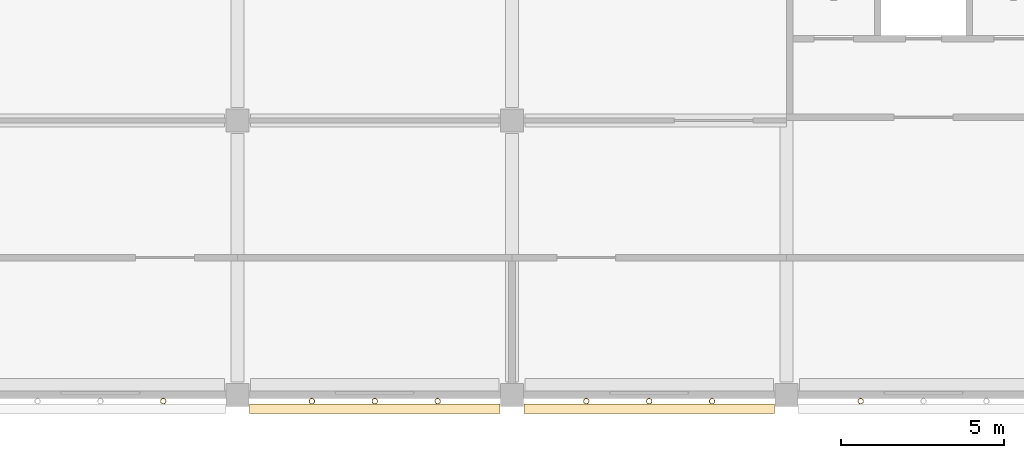
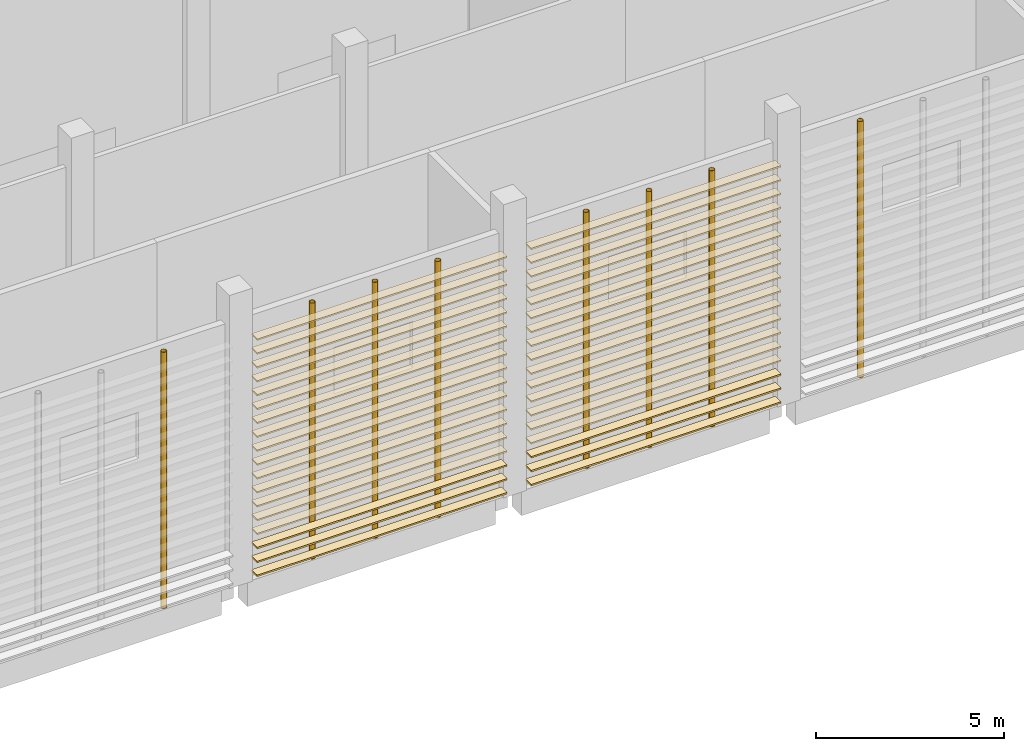
# One storey, part 77 of 114: 36 coverings, 8 shading devices.
"""IFC4 building model written with IfcOpenShell, lengths in metres."""

from ifc_helpers import new_model, si_unit, direction, frame, origin, origin_2d, place, context, subcontext, project, spatial, rectangle, hollow_circle, extrude, material, material_profile, profile_set, type_object, element, save


model = new_model("IFC4")

# Units and contexts
model_context = context("Model", 3, precision=1e-05, world=origin(), true_north=direction((0.0, 1.0)))
body_context = subcontext(model_context, "Body", "Model", "MODEL_VIEW")
ifc_project = project(units=[si_unit("LENGTHUNIT", "METRE"), si_unit("AREAUNIT", "SQUARE_METRE"), si_unit("VOLUMEUNIT", "CUBIC_METRE"), si_unit("PLANEANGLEUNIT", "RADIAN"), si_unit("MASSUNIT", "GRAM", prefix="KILO")], contexts=[model_context])

# Site, building, storey
site_placement = place(None, origin())
site = spatial("IfcSite", under=ifc_project, at=site_placement, CompositionType="ELEMENT")
building_placement = place(site_placement, origin())
building = spatial("IfcBuilding", under=site, at=building_placement, Name="Almond Square Museum", CompositionType="ELEMENT")
storey_placement = place(building_placement, frame((0.0, 0.0, 10.5)))
storey = spatial("IfcBuildingStorey", under=building, at=storey_placement, Name="L02", CompositionType="ELEMENT", Elevation=10.5)

# Shading devices
ifc_material_1 = material(Name="Structural steel S355", Category="steel")
ifc_material_profile_1 = material_profile(ifc_material_1, hollow_circle(Radius=0.084228515625, WallThickness=0.008056640625, at=origin_2d()))
ifc_profile_set_1 = profile_set([ifc_material_profile_1], Name="Structural steel S355")
shading_device_type = type_object("IfcShadingDeviceType", Name="Louvre post CHS 168.3 x 8", PredefinedType="USERDEFINED", material=ifc_profile_set_1)
for number, where, z_axis, x_axis, name in (
    (1, (37.324951171875, -0.194091796875, 0.0), (0.0, 0.0, 1.0), (1.0, 0.0, 0.0), "Louvre screen post"),
    (2, (41.875, -0.194091796875, 0.0), (0.0, 0.0, 1.0), (1.0, 0.0, 0.0), "Louvre screen post"),
    (3, (43.800048828125, -0.194091796875, 0.0), (0.0, 0.0, 1.0), (1.0, 0.0, 0.0), "Louvre screen post"),
    (4, (45.72509765625, -0.194091796875, 0.0), (0.0, 0.0, 1.0), (1.0, 0.0, 0.0), "Louvre screen post"),
    (5, (50.27490234375, -0.194091796875, 0.0), (0.0, 0.0, 1.0), (1.0, 0.0, 0.0), "Louvre screen post"),
    (6, (52.199951171875, -0.194091796875, 0.0), (0.0, 0.0, 1.0), (1.0, 0.0, 0.0), "Louvre screen post"),
    (7, (54.125, -0.194091796875, 0.0), (0.0, 0.0, 1.0), (1.0, 0.0, 0.0), "Louvre screen post"),
    (8, (58.675048828125, -0.194091796875, 0.0), (0.0, 0.0, 1.0), (1.0, 0.0, 0.0), "Louvre screen post"),
):
    element("IfcShadingDevice", number, at=place(storey_placement, frame(where, z_axis=z_axis, x_axis=x_axis)), inside=storey, type_object=shading_device_type, Name=name, ObjectType="POST", PredefinedType="USERDEFINED", context=body_context, shape_type="SweptSolid", body=[
        extrude(hollow_circle(Radius=0.084228515625, WallThickness=0.008056640625, at=origin_2d()), origin(), (0.0, 0.0, 1.0), 8.300048828125),
    ])

# Coverings
ifc_material_2 = material(Name="Cedar timber louvre board", Category="wood")
ifc_material_profile_2 = material_profile(ifc_material_2, rectangle(XDim=0.300048828125, YDim=0.050048828125, at=origin_2d()))
ifc_profile_set_2 = profile_set([ifc_material_profile_2], Name="Cedar timber louvre board")
covering_type = type_object("IfcCoveringType", Name="Louvre screen board 300 x 50", PredefinedType="CLADDING", material=ifc_profile_set_2)
for number, where, z_axis, x_axis, name in (
    (9, (39.969970703125, -0.42431640625, 0.300048828125), (1.0, 0.0, 0.0), (0.0, 1.0, 0.0), "Louvre screen board"),
    (10, (39.969970703125, -0.42431640625, 0.75), (1.0, 0.0, 0.0), (0.0, 1.0, 0.0), "Louvre screen board"),
    (11, (39.969970703125, -0.42431640625, 1.199951171875), (1.0, 0.0, 0.0), (0.0, 1.0, 0.0), "Louvre screen board"),
    (12, (39.969970703125, -0.42431640625, 1.64990234375), (1.0, 0.0, 0.0), (0.0, 1.0, 0.0), "Louvre screen board"),
    (13, (39.969970703125, -0.42431640625, 2.10009765625), (1.0, 0.0, 0.0), (0.0, 1.0, 0.0), "Louvre screen board"),
    (14, (39.969970703125, -0.42431640625, 2.550048828125), (1.0, 0.0, 0.0), (0.0, 1.0, 0.0), "Louvre screen board"),
    (15, (39.969970703125, -0.42431640625, 3.0), (1.0, 0.0, 0.0), (0.0, 1.0, 0.0), "Louvre screen board"),
    (16, (39.969970703125, -0.42431640625, 3.449951171875), (1.0, 0.0, 0.0), (0.0, 1.0, 0.0), "Louvre screen board"),
    (17, (39.969970703125, -0.42431640625, 3.89990234375), (1.0, 0.0, 0.0), (0.0, 1.0, 0.0), "Louvre screen board"),
    (18, (39.969970703125, -0.42431640625, 4.35009765625), (1.0, 0.0, 0.0), (0.0, 1.0, 0.0), "Louvre screen board"),
    (19, (39.969970703125, -0.42431640625, 4.800048828125), (1.0, 0.0, 0.0), (0.0, 1.0, 0.0), "Louvre screen board"),
    (20, (39.969970703125, -0.42431640625, 5.25), (1.0, 0.0, 0.0), (0.0, 1.0, 0.0), "Louvre screen board"),
    (21, (39.969970703125, -0.42431640625, 5.699951171875), (1.0, 0.0, 0.0), (0.0, 1.0, 0.0), "Louvre screen board"),
    (22, (39.969970703125, -0.42431640625, 6.14990234375), (1.0, 0.0, 0.0), (0.0, 1.0, 0.0), "Louvre screen board"),
    (23, (39.969970703125, -0.42431640625, 6.60009765625), (1.0, 0.0, 0.0), (0.0, 1.0, 0.0), "Louvre screen board"),
    (24, (39.969970703125, -0.42431640625, 7.050048828125), (1.0, 0.0, 0.0), (0.0, 1.0, 0.0), "Louvre screen board"),
    (25, (39.969970703125, -0.42431640625, 7.5), (1.0, 0.0, 0.0), (0.0, 1.0, 0.0), "Louvre screen board"),
    (26, (39.969970703125, -0.42431640625, 7.949951171875), (1.0, 0.0, 0.0), (0.0, 1.0, 0.0), "Louvre screen board"),
    (27, (48.3701171875, -0.42431640625, 0.300048828125), (1.0, 0.0, 0.0), (0.0, 1.0, 0.0), "Louvre screen board"),
    (28, (48.3701171875, -0.42431640625, 0.75), (1.0, 0.0, 0.0), (0.0, 1.0, 0.0), "Louvre screen board"),
    (29, (48.3701171875, -0.42431640625, 1.199951171875), (1.0, 0.0, 0.0), (0.0, 1.0, 0.0), "Louvre screen board"),
    (30, (48.3701171875, -0.42431640625, 1.64990234375), (1.0, 0.0, 0.0), (0.0, 1.0, 0.0), "Louvre screen board"),
    (31, (48.3701171875, -0.42431640625, 2.10009765625), (1.0, 0.0, 0.0), (0.0, 1.0, 0.0), "Louvre screen board"),
    (32, (48.3701171875, -0.42431640625, 2.550048828125), (1.0, 0.0, 0.0), (0.0, 1.0, 0.0), "Louvre screen board"),
    (33, (48.3701171875, -0.42431640625, 3.0), (1.0, 0.0, 0.0), (0.0, 1.0, 0.0), "Louvre screen board"),
    (34, (48.3701171875, -0.42431640625, 3.449951171875), (1.0, 0.0, 0.0), (0.0, 1.0, 0.0), "Louvre screen board"),
    (35, (48.3701171875, -0.42431640625, 3.89990234375), (1.0, 0.0, 0.0), (0.0, 1.0, 0.0), "Louvre screen board"),
    (36, (48.3701171875, -0.42431640625, 4.35009765625), (1.0, 0.0, 0.0), (0.0, 1.0, 0.0), "Louvre screen board"),
    (37, (48.3701171875, -0.42431640625, 4.800048828125), (1.0, 0.0, 0.0), (0.0, 1.0, 0.0), "Louvre screen board"),
    (38, (48.3701171875, -0.42431640625, 5.25), (1.0, 0.0, 0.0), (0.0, 1.0, 0.0), "Louvre screen board"),
    (39, (48.3701171875, -0.42431640625, 5.699951171875), (1.0, 0.0, 0.0), (0.0, 1.0, 0.0), "Louvre screen board"),
    (40, (48.3701171875, -0.42431640625, 6.14990234375), (1.0, 0.0, 0.0), (0.0, 1.0, 0.0), "Louvre screen board"),
    (41, (48.3701171875, -0.42431640625, 6.60009765625), (1.0, 0.0, 0.0), (0.0, 1.0, 0.0), "Louvre screen board"),
    (42, (48.3701171875, -0.42431640625, 7.050048828125), (1.0, 0.0, 0.0), (0.0, 1.0, 0.0), "Louvre screen board"),
    (43, (48.3701171875, -0.42431640625, 7.5), (1.0, 0.0, 0.0), (0.0, 1.0, 0.0), "Louvre screen board"),
    (44, (48.3701171875, -0.42431640625, 7.949951171875), (1.0, 0.0, 0.0), (0.0, 1.0, 0.0), "Louvre screen board"),
):
    element("IfcCovering", number, at=place(storey_placement, frame(where, z_axis=z_axis, x_axis=x_axis)), inside=storey, type_object=covering_type, Name=name, PredefinedType="CLADDING", context=body_context, shape_type="SweptSolid", body=[
        extrude(rectangle(XDim=0.300048828125, YDim=0.050048828125, at=origin_2d()), origin(), (0.0, 0.0, 1.0), 7.659912109375),
    ])

save(model, "model.ifc")
